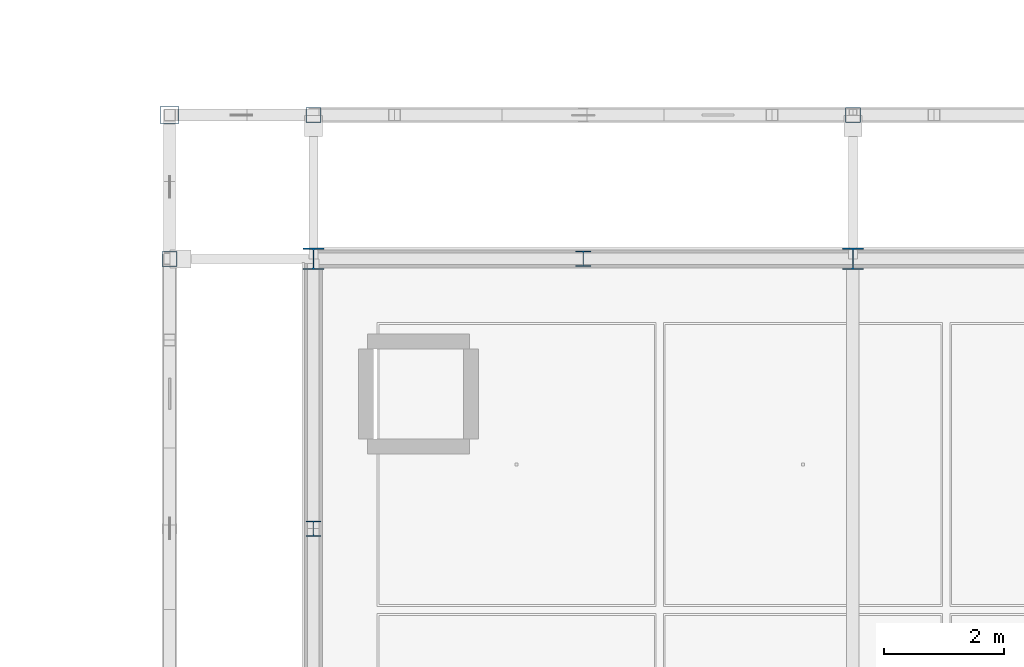
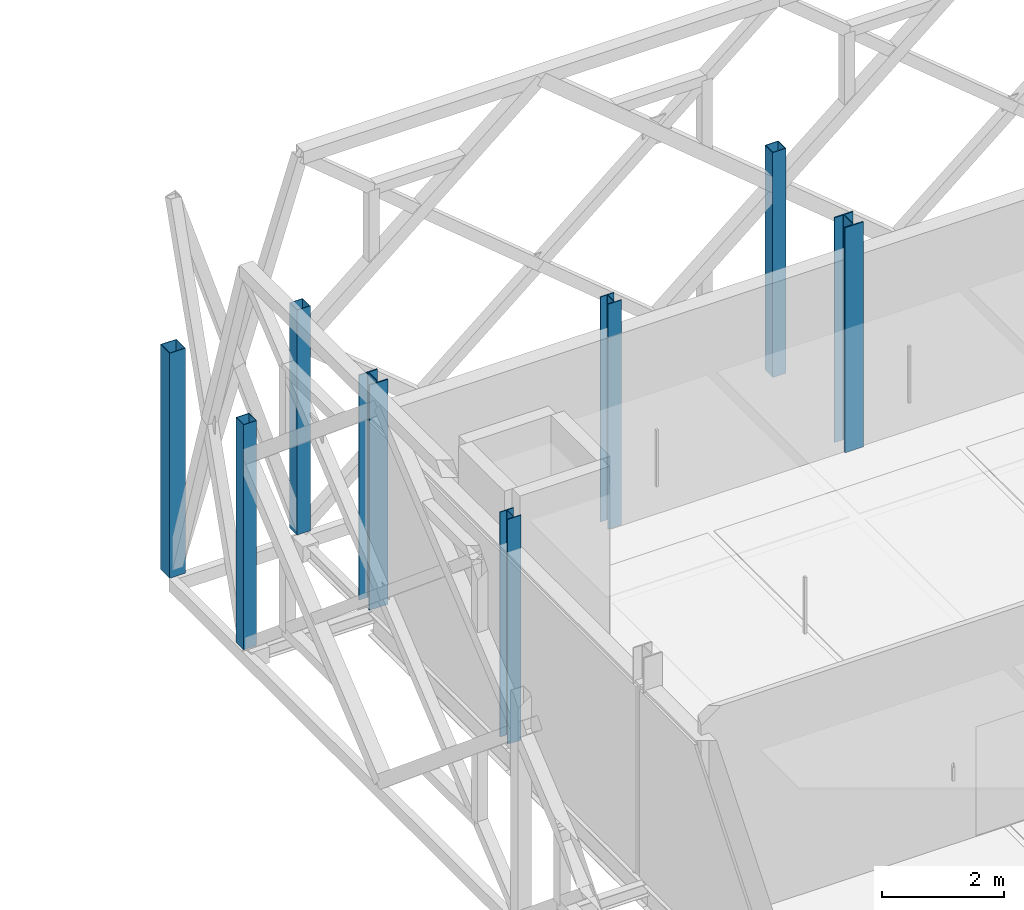
# One storey, part 4 of 66: 8 columns.
"""IFC4 building model written with IfcOpenShell, lengths in metres."""

from ifc_helpers import new_model, si_unit, direction, frame, origin, origin_2d, place, context, subcontext, project, spatial, hollow_rectangle, i_section, extrude, material, material_profile, profile_set, type_object, element, save


model = new_model("IFC4")

# Units and contexts
model_context = context("Model", 3, precision=1e-05, world=origin(), true_north=direction((0.0, 1.0)))
body_context = subcontext(model_context, "Body", "Model", "MODEL_VIEW")
ifc_project = project(units=[si_unit("LENGTHUNIT", "METRE"), si_unit("AREAUNIT", "SQUARE_METRE"), si_unit("VOLUMEUNIT", "CUBIC_METRE"), si_unit("PLANEANGLEUNIT", "RADIAN"), si_unit("MASSUNIT", "GRAM", prefix="KILO"), si_unit("THERMODYNAMICTEMPERATUREUNIT", "KELVIN"), si_unit("POWERUNIT", "WATT")], contexts=[model_context])

# Site, building, storey
site_placement = place(None, origin())
site = spatial("IfcSite", under=ifc_project, at=site_placement, CompositionType="ELEMENT")
building_placement = place(site_placement, origin())
building = spatial("IfcBuilding", under=site, at=building_placement, Name="Tallowbark Science Centre", CompositionType="ELEMENT")
storey_placement = place(building_placement, frame((0.0, 0.0, 18.89990234375)))
storey = spatial("IfcBuildingStorey", under=building, at=storey_placement, Name="L04", CompositionType="ELEMENT", Elevation=18.89990234375)

# Columns
ifc_material_1 = material(Name="White Architectural Painted Steel Grade C350L0 (350 MPa)", Category="steel")
ifc_material_profile_1 = material_profile(ifc_material_1, hollow_rectangle(XDim=0.25, YDim=0.25, WallThickness=0.009033203125, at=origin_2d()), Name="250x250x9.0SHS")
ifc_profile_set_1 = profile_set([ifc_material_profile_1], Name="White Architectural Painted Steel Grade C350L0 (350 MPa)")
column_type_1 = type_object("IfcColumnType", Name="COL-SCR200", PredefinedType="COLUMN", material=ifc_profile_set_1)
for number, where, z_axis, x_axis, name in (
    (1, (58.5, 42.89990234375, 0.0), (0.0, 0.0, 1.0), (1.0, 0.0, 0.0), "Column SCR-N01 L04"),
    (2, (67.5, 42.89990234375, 0.0), (0.0, 0.0, 1.0), (1.0, 0.0, 0.0), "Column SCR-N02 L04"),
    (3, (56.10009765625, 40.5, 0.0), (0.0, 0.0, 1.0), (1.0, 0.0, 0.0), "Column SCR-W05 L04"),
):
    element("IfcColumn", number, at=place(storey_placement, frame(where, z_axis=z_axis, x_axis=x_axis)), inside=storey, type_object=column_type_1, Name=name, PredefinedType="COLUMN", context=body_context, shape_type="SweptSolid", body=[
        extrude(hollow_rectangle(XDim=0.25, YDim=0.25, WallThickness=0.009033203125, at=origin_2d()), origin(), (0.0, 0.0, 1.0), 4.5),
    ])
ifc_material_profile_2 = material_profile(ifc_material_1, hollow_rectangle(XDim=0.300048828125, YDim=0.300048828125, WallThickness=0.010009765625, at=origin_2d()), Name="300x300x10.0SHS")
ifc_profile_set_2 = profile_set([ifc_material_profile_2], Name="White Architectural Painted Steel Grade C350L0 (350 MPa)")
column_type_2 = type_object("IfcColumnType", Name="COL-SCR300", PredefinedType="COLUMN", material=ifc_profile_set_2)
column_placement = place(storey_placement, frame((56.10009765625, 42.89990234375, 0.0), z_axis=(0.0, 0.0, 1.0), x_axis=(1.0, 0.0, 0.0)))
element("IfcColumn", 4, at=column_placement, inside=storey, type_object=column_type_2, Name="Column SCR-N00 L04", PredefinedType="COLUMN", context=body_context, shape_type="SweptSolid", body=[
    extrude(hollow_rectangle(XDim=0.300048828125, YDim=0.300048828125, WallThickness=0.010009765625, at=origin_2d()), origin(), (0.0, 0.0, 1.0), 4.5),
])
ifc_material_2 = material(Name="Structural Steel Grade 300PLUS (300 MPa)", Category="steel")
ifc_material_profile_3 = material_profile(ifc_material_2, i_section(OverallWidth=0.35009765625, OverallDepth=0.35888671875, WebThickness=0.01611328125, FlangeThickness=0.02392578125, FilletRadius=0.013916015625, at=origin_2d()), Name="350WC197")
ifc_profile_set_3 = profile_set([ifc_material_profile_3], Name="Structural Steel Grade 300PLUS (300 MPa)")
column_type_3 = type_object("IfcColumnType", Name="COL-WC350", PredefinedType="COLUMN", material=ifc_profile_set_3)
for number, where, z_axis, x_axis, name in (
    (5, (58.5, 40.5, 0.0), (0.0, 0.0, 1.0), (1.0, 0.0, 0.0), "Column CUB-M0_4 L04"),
    (6, (67.5, 40.5, 0.0), (0.0, 0.0, 1.0), (1.0, 0.0, 0.0), "Column CUB-M1_4 L04"),
):
    element("IfcColumn", number, at=place(storey_placement, frame(where, z_axis=z_axis, x_axis=x_axis)), inside=storey, type_object=column_type_3, Name=name, PredefinedType="COLUMN", context=body_context, shape_type="SweptSolid", body=[
        extrude(i_section(OverallWidth=0.35009765625, OverallDepth=0.35888671875, WebThickness=0.01611328125, FlangeThickness=0.02392578125, FilletRadius=0.013916015625, at=origin_2d()), origin(), (0.0, 0.0, 1.0), 4.5),
    ])
ifc_material_profile_4 = material_profile(ifc_material_2, i_section(OverallWidth=0.256103515625, OverallDepth=0.260009765625, WebThickness=0.010498046875, FlangeThickness=0.017333984375, FilletRadius=0.013916015625, at=origin_2d()), Name="250UC89.5")
ifc_profile_set_4 = profile_set([ifc_material_profile_4], Name="Structural Steel Grade 300PLUS (300 MPa)")
column_type_4 = type_object("IfcColumnType", Name="PIL-UC250", PredefinedType="PILASTER", material=ifc_profile_set_4)
for number, where, z_axis, x_axis, name in (
    (7, (63.0, 40.5, 0.0), (0.0, 0.0, 1.0), (1.0, 0.0, 0.0), "Column CUB-PN-0 L04"),
    (8, (58.5, 36.0, 0.0), (0.0, 0.0, 1.0), (1.0, 0.0, 0.0), "Column CUB-PW-3 L04"),
):
    element("IfcColumn", number, at=place(storey_placement, frame(where, z_axis=z_axis, x_axis=x_axis)), inside=storey, type_object=column_type_4, Name=name, PredefinedType="PILASTER", context=body_context, shape_type="SweptSolid", body=[
        extrude(i_section(OverallWidth=0.256103515625, OverallDepth=0.260009765625, WebThickness=0.010498046875, FlangeThickness=0.017333984375, FilletRadius=0.013916015625, at=origin_2d()), origin(), (0.0, 0.0, 1.0), 4.5),
    ])

save(model, "model.ifc")
